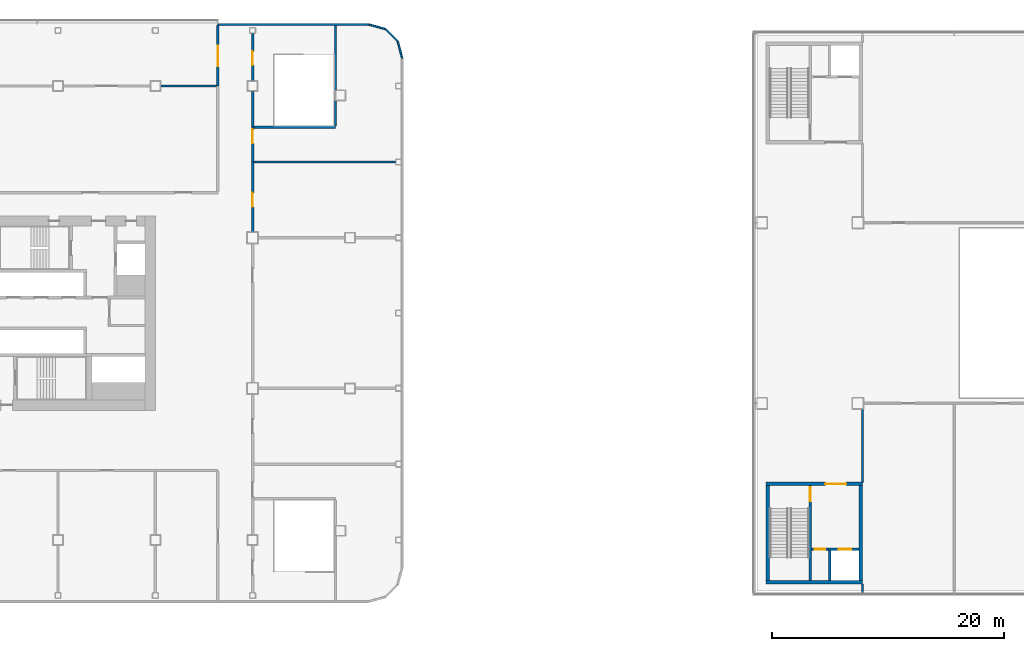
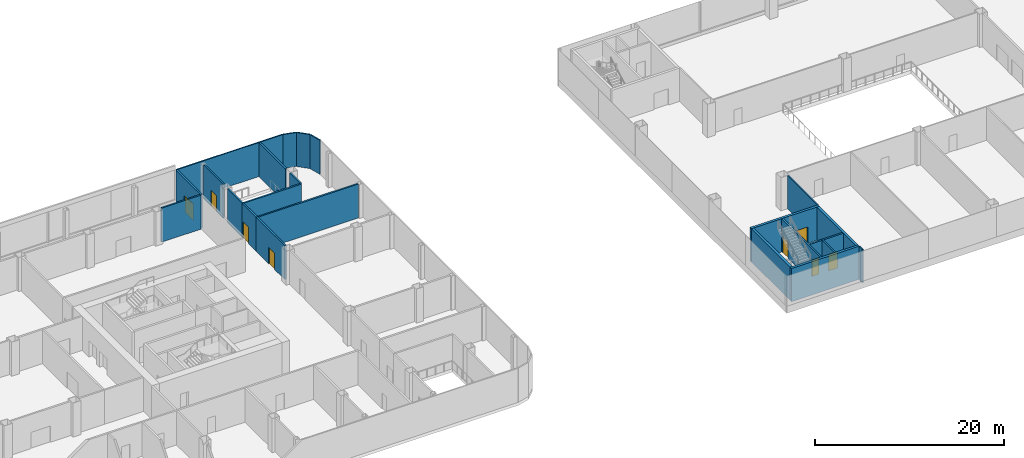
# One storey, part 24 of 53: 24 walls, 8 doors, 8 openings.
"""IFC4 building model written with IfcOpenShell, lengths in metres."""

from ifc_helpers import new_model, si_unit, direction, frame, frame_2d, origin, place, context, subcontext, project, spatial, rectangle, extrude, material, layer, layer_set, type_object, element, fill, save


model = new_model("IFC4")

# Units and contexts
model_context = context("Model", 3, precision=1e-05, world=origin(), true_north=direction((0.0, 1.0)))
body_context = subcontext(model_context, "Body", "Model", "MODEL_VIEW")
ifc_project = project(units=[si_unit("LENGTHUNIT", "METRE"), si_unit("AREAUNIT", "SQUARE_METRE"), si_unit("VOLUMEUNIT", "CUBIC_METRE"), si_unit("PLANEANGLEUNIT", "RADIAN"), si_unit("MASSUNIT", "GRAM", prefix="KILO")], contexts=[model_context])

# Site, building, storey
site_placement = place(None, origin())
site = spatial("IfcSite", under=ifc_project, at=site_placement, CompositionType="ELEMENT")
building_placement = place(site_placement, origin())
building = spatial("IfcBuilding", under=site, at=building_placement, Name="Hakoniwa Tower and Hamabe Station Hall", CompositionType="ELEMENT")
storey_placement = place(building_placement, frame((0.0, 0.0, 15.0)))
storey = spatial("IfcBuildingStorey", under=building, at=storey_placement, Name="L03", CompositionType="ELEMENT", Elevation=15.0)

# Wall, opening, door
ifc_material_1 = material(Name="Concrete block masonry fb10", Category="masonry")
ifc_layer_1 = layer(ifc_material_1, 0.199951171875)
ifc_layer_set_1 = layer_set([ifc_layer_1], Name="BLOCK WALL 200 EI 60")
wall_type_1 = type_object("IfcWallType", Name="BLOCK WALL 200 EI 60", PredefinedType="PARTITIONING", material=ifc_layer_set_1)
wall_1_placement = place(storey_placement, frame((90.25, -20.39990234375, 0.0), z_axis=(0.0, 0.0, 1.0), x_axis=(1.0, 0.0, 0.0)))
wall_1 = element("IfcWall", 1, at=wall_1_placement, inside=storey, type_object=wall_type_1, Name="Station riser room wall SC3 L03", PredefinedType="PARTITIONING", context=body_context, shape_type="SweptSolid", body=[
    extrude(rectangle(XDim=1.5, YDim=0.199951171875, at=frame_2d((0.75, 0.0))), origin(), (0.0, 0.0, 1.0), 4.300048828125),
])
opening_1_placement = place(wall_1_placement, frame((0.300048828125, 0.0, 0.0)))
opening_1 = element("IfcOpeningElement", 2, at=opening_1_placement, cuts=wall_1, Name="Opening SD-L03-018", PredefinedType="OPENING", context=body_context, shape_type="SweptSolid", body=[
    extrude(rectangle(XDim=0.89990234375, YDim=2.10009765625, at=frame_2d((0.449951171875, 1.050048828125))), frame((0.0, 0.10986328125, 0.0), z_axis=(0.0, -1.0, 0.0), x_axis=(1.0, 0.0, 0.0)), (0.0, 0.0, 1.0), 0.219970703125),
])
ifc_material_2 = material(Name="Steel fire door", Category="steel")
door_type_1 = type_object("IfcDoorType", Name="FIRE DOOR 900X2100 FD30", OperationType="SINGLE_SWING_LEFT", PredefinedType="DOOR", material=ifc_material_2)
door_1_placement = place(opening_1_placement, origin())
door_1 = element("IfcDoor", 3, at=door_1_placement, inside=storey, type_object=door_type_1, Name="Door riser SC3", OperationType="SINGLE_SWING_RIGHT", OverallHeight=2.10009765625, OverallWidth=0.89990234375, PredefinedType="DOOR", context=body_context, shape_type="SweptSolid", body=[
    extrude(rectangle(XDim=0.89990234375, YDim=2.10009765625, at=frame_2d((0.449951171875, 1.050048828125))), frame((0.0, 0.02490234375, 0.0), z_axis=(0.0, -1.0, 0.0), x_axis=(1.0, 0.0, 0.0)), (0.0, 0.0, 1.0), 0.050048828125),
])
fill(opening_1, door_1)

# Walls
ifc_material_3 = material(Name="Dark glass-faced aluminium panel", Category="aluminium")
ifc_layer_2 = layer(ifc_material_3, 0.14990234375)
ifc_layer_set_2 = layer_set([ifc_layer_2], Name="EXTERNAL WALL 150 EI 60")
wall_type_2 = type_object("IfcWallType", Name="EXTERNAL WALL 150 EI 60", PredefinedType="STANDARD", material=ifc_layer_set_2)
wall_2_placement = place(storey_placement, frame((39.0, 24.925048828125, 0.0), z_axis=(0.0, 0.0, 1.0), x_axis=(1.0, 0.0, 0.0)))
element("IfcWall", 4, at=wall_2_placement, inside=storey, type_object=wall_type_2, Name="External wall L03 12-2", PredefinedType="STANDARD", context=body_context, shape_type="SweptSolid", body=[
    extrude(rectangle(XDim=12.980224609375, YDim=0.14990234375, at=frame_2d((6.490234375, 0.0))), origin(), (0.0, 0.0, 1.0), 4.39990234375),
])
wall_3_placement = place(storey_placement, frame((51.999755859375, 24.92236328125, 0.0), z_axis=(0.0, 0.0, 1.0), x_axis=(0.965946591624, -0.258741535379, 0.0)))
element("IfcWall", 5, at=wall_3_placement, inside=storey, type_object=wall_type_2, Name="External wall L03 13-1", PredefinedType="STANDARD", context=body_context, shape_type="SweptSolid", body=[
    extrude(rectangle(XDim=1.49267578125, YDim=0.14990234375, at=frame_2d((0.746337890625, 0.0))), origin(), (0.0, 0.0, 1.0), 4.39990234375),
])
wall_4_placement = place(storey_placement, frame((53.475341796875, 24.5166015625, 0.0), z_axis=(0.0, 0.0, 1.0), x_axis=(0.707106781187, -0.707106781187, 0.0)))
element("IfcWall", 6, at=wall_4_placement, inside=storey, type_object=wall_type_2, Name="External wall L03 14-1", PredefinedType="STANDARD", context=body_context, shape_type="SweptSolid", body=[
    extrude(rectangle(XDim=1.47265625, YDim=0.14990234375, at=frame_2d((0.736328125, 0.0))), origin(), (0.0, 0.0, 1.0), 4.39990234375),
])
wall_5_placement = place(storey_placement, frame((54.5361328125, 23.441650390625, 0.0), z_axis=(0.0, 0.0, 1.0), x_axis=(0.258741535379, -0.965946591624, 0.0)))
element("IfcWall", 7, at=wall_5_placement, inside=storey, type_object=wall_type_2, Name="External wall L03 15-1", PredefinedType="STANDARD", context=body_context, shape_type="SweptSolid", body=[
    extrude(rectangle(XDim=1.49267578125, YDim=0.14990234375, at=frame_2d((0.746337890625, 0.0))), origin(), (0.0, 0.0, 1.0), 4.39990234375),
])
ifc_material_4 = material(Name="Fire-rated gypsum board partition")
ifc_layer_3 = layer(ifc_material_4, 0.14990234375)
ifc_layer_set_3 = layer_set([ifc_layer_3], Name="FIRE PARTITION 150 EI 60")
wall_type_3 = type_object("IfcWallType", Name="FIRE PARTITION 150 EI 60", PredefinedType="PARTITIONING", material=ifc_layer_set_3)
wall_6_placement = place(storey_placement, frame((94.669921875, -24.10009765625, 0.0), z_axis=(0.0, 0.0, 1.0), x_axis=(0.0, 1.0, 0.0)))
element("IfcWall", 8, at=wall_6_placement, inside=storey, type_object=wall_type_3, Name="Partition L03 3", PredefinedType="PARTITIONING", context=body_context, shape_type="SweptSolid", body=[
    extrude(rectangle(XDim=0.7001953125, YDim=0.14990234375, at=frame_2d((0.35009765625, 0.0))), origin(), (0.0, 0.0, 1.0), 4.300048828125),
])
wall_7_placement = place(storey_placement, frame((94.669921875, -14.60009765625, 0.0), z_axis=(0.0, 0.0, 1.0), x_axis=(0.0, 1.0, 0.0)))
element("IfcWall", 9, at=wall_7_placement, inside=storey, type_object=wall_type_3, Name="Partition L03 4", PredefinedType="PARTITIONING", context=body_context, shape_type="SweptSolid", body=[
    extrude(rectangle(XDim=6.300048828125, YDim=0.14990234375, at=frame_2d((3.14990234375, 0.0))), origin(), (0.0, 0.0, 1.0), 4.300048828125),
])

# Wall, opening, door
ifc_material_5 = material(Name="Fire-rated gypsum board partition")
ifc_layer_4 = layer(ifc_material_5, 0.199951171875)
ifc_layer_set_4 = layer_set([ifc_layer_4], Name="FIRE PARTITION 200 EI 60")
wall_type_4 = type_object("IfcWallType", Name="FIRE PARTITION 200 EI 60", PredefinedType="PARTITIONING", material=ifc_layer_set_4)
wall_8_placement = place(storey_placement, frame((42.0, 13.050048828125, 0.0), z_axis=(0.0, 0.0, 1.0), x_axis=(0.0, -1.0, 0.0)))
wall_8 = element("IfcWall", 10, at=wall_8_placement, inside=storey, type_object=wall_type_4, Name="Wall East Gallery / Meeting Room 6", PredefinedType="PARTITIONING", context=body_context, shape_type="SweptSolid", body=[
    extrude(rectangle(XDim=6.050048828125, YDim=0.199951171875, at=frame_2d((3.02490234375, 0.0))), origin(), (0.0, 0.0, 1.0), 4.39990234375),
])
opening_2_placement = place(wall_8_placement, frame((2.675048828125, 0.0, 0.0)))
opening_2 = element("IfcOpeningElement", 11, at=opening_2_placement, cuts=wall_8, Name="Opening PD-L03-049", PredefinedType="OPENING", context=body_context, shape_type="SweptSolid", body=[
    extrude(rectangle(XDim=1.199951171875, YDim=2.10009765625, at=frame_2d((0.60009765625, 1.050048828125))), frame((0.0, 0.10986328125, 0.0), z_axis=(0.0, -1.0, 0.0), x_axis=(1.0, 0.0, 0.0)), (0.0, 0.0, 1.0), 0.219970703125),
])
ifc_material_6 = material(Name="Steel fire door", Category="steel")
door_type_2 = type_object("IfcDoorType", Name="FIRE DOOR 1200X2100 FD60", OperationType="SINGLE_SWING_LEFT", PredefinedType="DOOR", material=ifc_material_6)
door_2_placement = place(opening_2_placement, origin())
door_2 = element("IfcDoor", 12, at=door_2_placement, inside=storey, type_object=door_type_2, Name="Door PD-L03-049", OperationType="SINGLE_SWING_RIGHT", OverallHeight=2.10009765625, OverallWidth=1.199951171875, PredefinedType="DOOR", context=body_context, shape_type="SweptSolid", body=[
    extrude(rectangle(XDim=1.199951171875, YDim=2.10009765625, at=frame_2d((0.60009765625, 1.050048828125))), frame((0.0, 0.02490234375, 0.0), z_axis=(0.0, -1.0, 0.0), x_axis=(1.0, 0.0, 0.0)), (0.0, 0.0, 1.0), 0.050048828125),
])
fill(opening_2, door_2)

wall_9_placement = place(storey_placement, frame((42.0, 16.050048828125, 0.0), z_axis=(0.0, 0.0, 1.0), x_axis=(0.0, -1.0, 0.0)))
wall_9 = element("IfcWall", 13, at=wall_9_placement, inside=storey, type_object=wall_type_4, Name="Wall East Gallery / Meeting Room 7", PredefinedType="PARTITIONING", context=body_context, shape_type="SweptSolid", body=[
    extrude(rectangle(XDim=3.0, YDim=0.199951171875, at=frame_2d((1.5, 0.0))), origin(), (0.0, 0.0, 1.0), 4.39990234375),
])
opening_3_placement = place(wall_9_placement, frame((0.199951171875, 0.0, 0.0)))
opening_3 = element("IfcOpeningElement", 14, at=opening_3_placement, cuts=wall_9, Name="Opening PD-L03-050", PredefinedType="OPENING", context=body_context, shape_type="SweptSolid", body=[
    extrude(rectangle(XDim=1.199951171875, YDim=2.10009765625, at=frame_2d((0.60009765625, 1.050048828125))), frame((0.0, 0.10986328125, 0.0), z_axis=(0.0, -1.0, 0.0), x_axis=(1.0, 0.0, 0.0)), (0.0, 0.0, 1.0), 0.219970703125),
])
door_3_placement = place(opening_3_placement, origin())
door_3 = element("IfcDoor", 15, at=door_3_placement, inside=storey, type_object=door_type_2, Name="Door PD-L03-050", OperationType="SINGLE_SWING_RIGHT", OverallHeight=2.10009765625, OverallWidth=1.199951171875, PredefinedType="DOOR", context=body_context, shape_type="SweptSolid", body=[
    extrude(rectangle(XDim=1.199951171875, YDim=2.10009765625, at=frame_2d((0.60009765625, 1.050048828125))), frame((0.0, 0.02490234375, 0.0), z_axis=(0.0, -1.0, 0.0), x_axis=(1.0, 0.0, 0.0)), (0.0, 0.0, 1.0), 0.050048828125),
])
fill(opening_3, door_3)

wall_10_placement = place(storey_placement, frame((39.0, 19.60009765625, 0.0), z_axis=(0.0, 0.0, 1.0), x_axis=(0.0, 1.0, 0.0)))
wall_10 = element("IfcWall", 16, at=wall_10_placement, inside=storey, type_object=wall_type_4, Name="Wall East Gallery / Ballroom Pre-function Foyer", PredefinedType="PARTITIONING", context=body_context, shape_type="SweptSolid", body=[
    extrude(rectangle(XDim=5.25, YDim=0.199951171875, at=frame_2d((2.625, 0.0))), origin(), (0.0, 0.0, 1.0), 4.39990234375),
])
opening_4_placement = place(wall_10_placement, frame((1.699951171875, 0.0, 0.0)))
opening_4 = element("IfcOpeningElement", 17, at=opening_4_placement, cuts=wall_10, Name="Opening PD-L03-020", PredefinedType="OPENING", context=body_context, shape_type="SweptSolid", body=[
    extrude(rectangle(XDim=1.800048828125, YDim=2.10009765625, at=frame_2d((0.89990234375, 1.050048828125))), frame((0.0, 0.10986328125, 0.0), z_axis=(0.0, -1.0, 0.0), x_axis=(1.0, 0.0, 0.0)), (0.0, 0.0, 1.0), 0.219970703125),
])
ifc_material_7 = material(Name="Steel fire door", Category="steel")
door_type_3 = type_object("IfcDoorType", Name="FIRE DOUBLE DOOR 1800X2100 FD60", OperationType="DOUBLE_DOOR_SINGLE_SWING", PredefinedType="DOOR", material=ifc_material_7)
door_4_placement = place(opening_4_placement, origin())
door_4 = element("IfcDoor", 18, at=door_4_placement, inside=storey, type_object=door_type_3, Name="Door PD-L03-020", OperationType="DOUBLE_DOOR_SINGLE_SWING", OverallHeight=2.10009765625, OverallWidth=1.800048828125, PredefinedType="DOOR", context=body_context, shape_type="SweptSolid", body=[
    extrude(rectangle(XDim=1.800048828125, YDim=2.10009765625, at=frame_2d((0.89990234375, 1.050048828125))), frame((0.0, 0.02490234375, 0.0), z_axis=(0.0, -1.0, 0.0), x_axis=(1.0, 0.0, 0.0)), (0.0, 0.0, 1.0), 0.050048828125),
])
fill(opening_4, door_4)

# Walls
wall_11_placement = place(storey_placement, frame((42.10009765625, 13.050048828125, 0.0), z_axis=(0.0, 0.0, 1.0), x_axis=(1.0, 0.0, 0.0)))
element("IfcWall", 19, at=wall_11_placement, inside=storey, type_object=wall_type_4, Name="Wall Meeting Room 6 / Meeting Room 7", PredefinedType="PARTITIONING", context=body_context, shape_type="SweptSolid", body=[
    extrude(rectangle(XDim=12.25, YDim=0.199951171875, at=frame_2d((6.125, 0.0))), origin(), (0.0, 0.0, 1.0), 4.39990234375),
])
wall_12_placement = place(storey_placement, frame((38.89990234375, 19.60009765625, 0.0), z_axis=(0.0, 0.0, 1.0), x_axis=(-1.0, 0.0, 0.0)))
element("IfcWall", 20, at=wall_12_placement, inside=storey, type_object=wall_type_4, Name="Wall Ballroom Pre-function Foyer / Meeting Room 9", PredefinedType="PARTITIONING", context=body_context, shape_type="SweptSolid", body=[
    extrude(rectangle(XDim=4.849853515625, YDim=0.199951171875, at=frame_2d((2.4248046875, 0.0))), origin(), (0.0, 0.0, 1.0), 4.39990234375),
])

# Wall, opening, door
ifc_material_8 = material(Name="Concrete C60", Category="concrete")
ifc_layer_5 = layer(ifc_material_8, 0.199951171875)
ifc_layer_set_5 = layer_set([ifc_layer_5], Name="RC WALL 200 EI 120 C60")
wall_type_5 = type_object("IfcWallType", Name="RC WALL 200 EI 120 C60", PredefinedType="SHEAR", material=ifc_layer_set_5)
wall_13_placement = place(storey_placement, frame((90.14990234375, -23.10009765625, 0.0), z_axis=(0.0, 0.0, 1.0), x_axis=(0.0, 1.0, 0.0)))
wall_13 = element("IfcWall", 21, at=wall_13_placement, inside=storey, type_object=wall_type_5, Name="Station stair wall SC3 L03", PredefinedType="SHEAR", context=body_context, shape_type="SweptSolid", body=[
    extrude(rectangle(XDim=8.2001953125, YDim=0.199951171875, at=frame_2d((4.10009765625, 0.0))), origin(), (0.0, 0.0, 1.0), 4.300048828125),
])
opening_5_placement = place(wall_13_placement, frame((6.85009765625, 0.0, 0.0)))
opening_5 = element("IfcOpeningElement", 22, at=opening_5_placement, cuts=wall_13, Name="Opening SD-L03-017", PredefinedType="OPENING", context=body_context, shape_type="SweptSolid", body=[
    extrude(rectangle(XDim=1.199951171875, YDim=2.10009765625, at=frame_2d((0.60009765625, 1.050048828125))), frame((0.0, 0.10986328125, 0.0), z_axis=(0.0, -1.0, 0.0), x_axis=(1.0, 0.0, 0.0)), (0.0, 0.0, 1.0), 0.219970703125),
])
door_5_placement = place(opening_5_placement, origin())
door_5 = element("IfcDoor", 23, at=door_5_placement, inside=storey, type_object=door_type_2, Name="Door escape stair SC3", OperationType="SINGLE_SWING_LEFT", OverallHeight=2.10009765625, OverallWidth=1.199951171875, PredefinedType="DOOR", context=body_context, shape_type="SweptSolid", body=[
    extrude(rectangle(XDim=1.199951171875, YDim=2.10009765625, at=frame_2d((0.60009765625, 1.050048828125))), frame((0.0, 0.02490234375, 0.0), z_axis=(0.0, -1.0, 0.0), x_axis=(1.0, 0.0, 0.0)), (0.0, 0.0, 1.0), 0.050048828125),
])
fill(opening_5, door_5)

# Wall
ifc_material_9 = material(Name="Concrete C40", Category="concrete")
ifc_layer_6 = layer(ifc_material_9, 0.199951171875)
ifc_layer_set_6 = layer_set([ifc_layer_6], Name="RC WALL 200 EI 60 C40")
wall_type_6 = type_object("IfcWallType", Name="RC WALL 200 EI 60 C40", PredefinedType="SHEAR", material=ifc_layer_set_6)
wall_14_placement = place(storey_placement, frame((42.0, 16.050048828125, 0.0), z_axis=(0.0, 0.0, 1.0), x_axis=(0.0, 1.0, 0.0)))
element("IfcWall", 24, at=wall_14_placement, inside=storey, type_object=wall_type_6, Name="Wall Escape Stair PS2 / East Gallery", PredefinedType="SHEAR", context=body_context, shape_type="SweptSolid", body=[
    extrude(rectangle(XDim=3.099853515625, YDim=0.199951171875, at=frame_2d((1.5498046875, 0.0))), origin(), (0.0, 0.0, 1.0), 4.39990234375),
])

# Wall, opening, door
wall_15_placement = place(storey_placement, frame((42.0, 20.050048828125, 0.0), z_axis=(0.0, 0.0, 1.0), x_axis=(0.0, 1.0, 0.0)))
wall_15 = element("IfcWall", 25, at=wall_15_placement, inside=storey, type_object=wall_type_6, Name="Wall Escape Stair PS2 / East Gallery", PredefinedType="SHEAR", context=body_context, shape_type="SweptSolid", body=[
    extrude(rectangle(XDim=4.099853515625, YDim=0.199951171875, at=frame_2d((2.0498046875, 0.0))), origin(), (0.0, 0.0, 1.0), 4.39990234375),
])
opening_6_placement = place(wall_15_placement, frame((1.35009765625, 0.0, 0.0)))
opening_6 = element("IfcOpeningElement", 26, at=opening_6_placement, cuts=wall_15, Name="Opening PD-L03-041", PredefinedType="OPENING", context=body_context, shape_type="SweptSolid", body=[
    extrude(rectangle(XDim=1.199951171875, YDim=2.10009765625, at=frame_2d((0.60009765625, 1.050048828125))), frame((0.0, 0.10986328125, 0.0), z_axis=(0.0, -1.0, 0.0), x_axis=(1.0, 0.0, 0.0)), (0.0, 0.0, 1.0), 0.219970703125),
])
door_6_placement = place(opening_6_placement, origin())
door_6 = element("IfcDoor", 27, at=door_6_placement, inside=storey, type_object=door_type_2, Name="Escape stair door PS2", OperationType="SINGLE_SWING_LEFT", OverallHeight=2.10009765625, OverallWidth=1.199951171875, PredefinedType="DOOR", context=body_context, shape_type="SweptSolid", body=[
    extrude(rectangle(XDim=1.199951171875, YDim=2.10009765625, at=frame_2d((0.60009765625, 1.050048828125))), frame((0.0, 0.02490234375, 0.0), z_axis=(0.0, -1.0, 0.0), x_axis=(1.0, 0.0, 0.0)), (0.0, 0.0, 1.0), 0.050048828125),
])
fill(opening_6, door_6)

# Walls
wall_16_placement = place(storey_placement, frame((49.14990234375, 16.050048828125, 0.0), z_axis=(0.0, 0.0, 1.0), x_axis=(-1.0, 0.0, 0.0)))
element("IfcWall", 28, at=wall_16_placement, inside=storey, type_object=wall_type_6, Name="Wall Escape Stair PS2 / Meeting Room 7", PredefinedType="SHEAR", context=body_context, shape_type="SweptSolid", body=[
    extrude(rectangle(XDim=7.0498046875, YDim=0.199951171875, at=frame_2d((3.52490234375, 0.0))), origin(), (0.0, 0.0, 1.0), 4.39990234375),
])
wall_17_placement = place(storey_placement, frame((49.14990234375, 24.85009765625, 0.0), z_axis=(0.0, 0.0, 1.0), x_axis=(0.0, -1.0, 0.0)))
element("IfcWall", 29, at=wall_17_placement, inside=storey, type_object=wall_type_6, Name="Wall Escape Stair PS2 / Meeting Room 7", PredefinedType="SHEAR", context=body_context, shape_type="SweptSolid", body=[
    extrude(rectangle(XDim=5.596923828125, YDim=0.199951171875, at=frame_2d((2.79833984375, 0.0))), origin(), (0.0, 0.0, 1.0), 4.39990234375),
])
wall_18_placement = place(storey_placement, frame((49.14990234375, 18.35302734375, 0.0), z_axis=(0.0, 0.0, 1.0), x_axis=(0.0, -1.0, 0.0)))
element("IfcWall", 30, at=wall_18_placement, inside=storey, type_object=wall_type_6, Name="Wall Escape Stair PS2 / Meeting Room 7", PredefinedType="SHEAR", context=body_context, shape_type="SweptSolid", body=[
    extrude(rectangle(XDim=2.203125, YDim=0.199951171875, at=frame_2d((1.1015625, 0.0))), origin(), (0.0, 0.0, 1.0), 4.39990234375),
])
ifc_material_10 = material(Name="Concrete C60", Category="concrete")
ifc_layer_7 = layer(ifc_material_10, 0.199951171875)
ifc_layer_set_7 = layer_set([ifc_layer_7], Name="RC WALL 200 EI 60 C60")
wall_type_7 = type_object("IfcWallType", Name="RC WALL 200 EI 60 C60", PredefinedType="SHEAR", material=ifc_layer_set_7)
wall_19_placement = place(storey_placement, frame((91.85009765625, -23.10009765625, 0.0), z_axis=(0.0, 0.0, 1.0), x_axis=(0.0, 1.0, 0.0)))
element("IfcWall", 31, at=wall_19_placement, inside=storey, type_object=wall_type_7, Name="Station hoistway wall SC3 L03", PredefinedType="SHEAR", context=body_context, shape_type="SweptSolid", body=[
    extrude(rectangle(XDim=2.60009765625, YDim=0.199951171875, at=frame_2d((1.300048828125, 0.0))), origin(), (0.0, 0.0, 1.0), 4.300048828125),
])

# Wall, opening, door
wall_20_placement = place(storey_placement, frame((91.75, -20.39990234375, 0.0), z_axis=(0.0, 0.0, 1.0), x_axis=(1.0, 0.0, 0.0)))
wall_20 = element("IfcWall", 32, at=wall_20_placement, inside=storey, type_object=wall_type_7, Name="Station hoistway front wall SC3 L03", PredefinedType="SHEAR", context=body_context, shape_type="SweptSolid", body=[
    extrude(rectangle(XDim=2.6201171875, YDim=0.199951171875, at=frame_2d((1.31005859375, 0.0))), origin(), (0.0, 0.0, 1.0), 4.300048828125),
])
opening_7_placement = place(wall_20_placement, frame((0.85009765625, 0.0, 0.0)))
opening_7 = element("IfcOpeningElement", 33, at=opening_7_placement, cuts=wall_20, Name="Opening LD-SL3-L03", PredefinedType="OPENING", context=body_context, shape_type="SweptSolid", body=[
    extrude(rectangle(XDim=1.10009765625, YDim=2.10009765625, at=frame_2d((0.550048828125, 1.050048828125))), frame((0.0, 0.10986328125, 0.0), z_axis=(0.0, -1.0, 0.0), x_axis=(1.0, 0.0, 0.0)), (0.0, 0.0, 1.0), 0.219970703125),
])
ifc_material_11 = material(Name="Stainless steel SUS304", Category="steel")
door_type_4 = type_object("IfcDoorType", Name="LIFT LANDING DOOR 1100X2100", OperationType="DOUBLE_DOOR_SLIDING", PredefinedType="DOOR", material=ifc_material_11)
door_7_placement = place(opening_7_placement, origin())
door_7 = element("IfcDoor", 34, at=door_7_placement, inside=storey, type_object=door_type_4, Name="Lift landing door SL3 L03", OperationType="DOUBLE_DOOR_SLIDING", OverallHeight=2.10009765625, OverallWidth=1.10009765625, PredefinedType="DOOR", context=body_context, shape_type="SweptSolid", body=[
    extrude(rectangle(XDim=1.10009765625, YDim=2.10009765625, at=frame_2d((0.550048828125, 1.050048828125))), frame((0.0, 0.02490234375, 0.0), z_axis=(0.0, -1.0, 0.0), x_axis=(1.0, 0.0, 0.0)), (0.0, 0.0, 1.0), 0.050048828125),
])
fill(opening_7, door_7)

# Wall
ifc_material_12 = material(Name="Concrete C60", Category="concrete")
ifc_layer_8 = layer(ifc_material_12, 0.300048828125)
ifc_layer_set_8 = layer_set([ifc_layer_8], Name="RC WALL 300 EI 120 C60")
wall_type_8 = type_object("IfcWallType", Name="RC WALL 300 EI 120 C60", PredefinedType="SHEAR", material=ifc_layer_set_8)
wall_21_placement = place(storey_placement, frame((86.35009765625, -23.25, 0.0), z_axis=(0.0, 0.0, 1.0), x_axis=(1.0, 0.0, 0.0)))
element("IfcWall", 35, at=wall_21_placement, inside=storey, type_object=wall_type_8, Name="Station core wall SC3 outer-v L03", PredefinedType="SHEAR", context=body_context, shape_type="SweptSolid", body=[
    extrude(rectangle(XDim=8.31982421875, YDim=0.300048828125, at=frame_2d((4.159912109375, 0.0))), origin(), (0.0, 0.0, 1.0), 4.300048828125),
])

# Wall, opening, door
wall_22_placement = place(storey_placement, frame((86.35009765625, -14.75, 0.0), z_axis=(0.0, 0.0, 1.0), x_axis=(1.0, 0.0, 0.0)))
wall_22 = element("IfcWall", 36, at=wall_22_placement, inside=storey, type_object=wall_type_8, Name="Station core wall SC3 inner-v L03", PredefinedType="SHEAR", context=body_context, shape_type="SweptSolid", body=[
    extrude(rectangle(XDim=8.31982421875, YDim=0.300048828125, at=frame_2d((4.159912109375, 0.0))), origin(), (0.0, 0.0, 1.0), 4.300048828125),
])
opening_8_placement = place(wall_22_placement, frame((5.10009765625, 0.0, 0.0)))
opening_8 = element("IfcOpeningElement", 37, at=opening_8_placement, cuts=wall_22, Name="Opening SD-L03-016", PredefinedType="OPENING", context=body_context, shape_type="SweptSolid", body=[
    extrude(rectangle(XDim=1.800048828125, YDim=2.10009765625, at=frame_2d((0.89990234375, 1.050048828125))), frame((0.0, 0.159912109375, 0.0), z_axis=(0.0, -1.0, 0.0), x_axis=(1.0, 0.0, 0.0)), (0.0, 0.0, 1.0), 0.320068359375),
])
door_8_placement = place(opening_8_placement, origin())
door_8 = element("IfcDoor", 38, at=door_8_placement, inside=storey, type_object=door_type_3, Name="Door lobby SC3", OperationType="DOUBLE_DOOR_SINGLE_SWING", OverallHeight=2.10009765625, OverallWidth=1.800048828125, PredefinedType="DOOR", context=body_context, shape_type="SweptSolid", body=[
    extrude(rectangle(XDim=1.800048828125, YDim=2.10009765625, at=frame_2d((0.89990234375, 1.050048828125))), frame((0.0, 0.02490234375, 0.0), z_axis=(0.0, -1.0, 0.0), x_axis=(1.0, 0.0, 0.0)), (0.0, 0.0, 1.0), 0.050048828125),
])
fill(opening_8, door_8)

# Walls
for number, where, z_axis, x_axis, name in (
    (39, (86.5, -23.10009765625, 0.0), (0.0, 0.0, 1.0), (0.0, 1.0, 0.0), "Station core wall SC3 outer-u L03"),
    (40, (94.52001953125, -23.10009765625, 0.0), (0.0, 0.0, 1.0), (0.0, 1.0, 0.0), "Station core wall SC3 inner-u L03"),
):
    element("IfcWall", number, at=place(storey_placement, frame(where, z_axis=z_axis, x_axis=x_axis)), inside=storey, type_object=wall_type_8, Name=name, PredefinedType="SHEAR", context=body_context, shape_type="SweptSolid", body=[
        extrude(rectangle(XDim=8.2001953125, YDim=0.300048828125, at=frame_2d((4.10009765625, 0.0))), origin(), (0.0, 0.0, 1.0), 4.300048828125),
    ])

save(model, "model.ifc")
